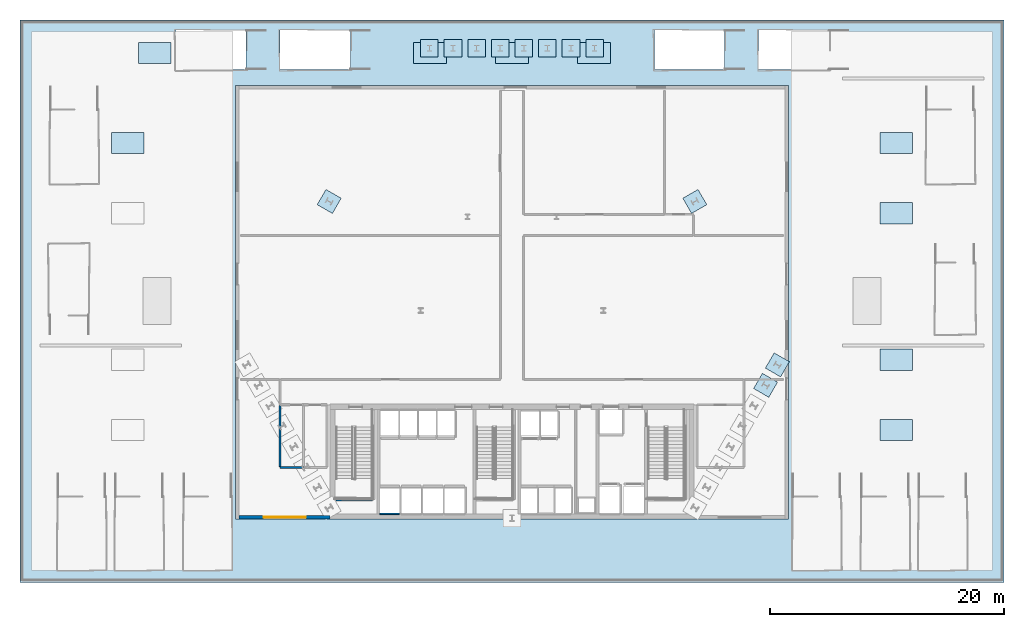
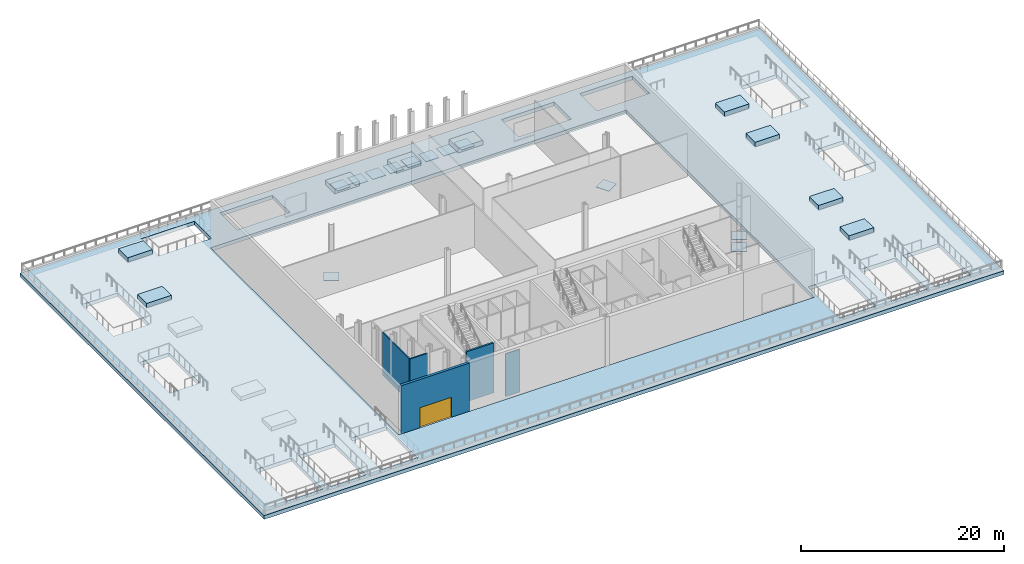
# One storey, part 2 of 13: 12 plates, 10 slabs, 5 walls, 1 door, 1 opening.
"""IFC4 building model written with IfcOpenShell, lengths in metres."""

from ifc_helpers import new_model, si_unit, direction, frame, frame_2d, origin, origin_2d, place, context, subcontext, project, spatial, polyline, rectangle, outline, extrude, material, layer, layer_set, type_object, element, fill, save


model = new_model("IFC4")

# Units and contexts
model_context = context("Model", 3, precision=1e-05, world=origin(), true_north=direction((0.0, 1.0)))
body_context = subcontext(model_context, "Body", "Model", "MODEL_VIEW")
ifc_project = project(units=[si_unit("LENGTHUNIT", "METRE"), si_unit("AREAUNIT", "SQUARE_METRE"), si_unit("VOLUMEUNIT", "CUBIC_METRE"), si_unit("PLANEANGLEUNIT", "RADIAN"), si_unit("MASSUNIT", "GRAM", prefix="KILO")], contexts=[model_context])

# Site, building, storey
site_placement = place(None, origin())
site = spatial("IfcSite", under=ifc_project, at=site_placement, CompositionType="ELEMENT")
building_placement = place(site_placement, origin())
building = spatial("IfcBuilding", under=site, at=building_placement, Name="Ndaravel Arena Tower", CompositionType="ELEMENT")
storey_placement = place(building_placement, frame((0.0, 0.0, 30.0)))
storey = spatial("IfcBuildingStorey", under=building, at=storey_placement, Name="L05", CompositionType="ELEMENT", Elevation=30.0)

# Plates
ifc_material_1 = material(Name="Steel S460", Category="steel")
ifc_layer_1 = layer(ifc_material_1, 0.074951171875)
ifc_layer_set_1 = layer_set([ifc_layer_1], Name="Steel S460")
plate_type = type_object("IfcPlateType", Name="PLT-BASE-BP1", PredefinedType="USERDEFINED", material=ifc_layer_set_1)
for number, where, z_axis, x_axis, name in (
    (1, (63.6474609375, 16.814453125, -0.28759765625), (0.0, 0.0, 1.0), (0.5, 0.866025403784, 0.0), "Tower Column Base Plate BP-08"),
    (2, (64.654052734375, 18.55810546875, -0.28759765625), (0.0, 0.0, 1.0), (0.5, 0.866025403784, 0.0), "Tower Column Base Plate BP-09"),
    (3, (57.605712890625, 32.510009765625, -0.28759765625), (0.0, 0.0, 1.0), (-0.5, 0.866025403784, 0.0), "Tower Column Base Plate BP-10"),
    (4, (49.04736328125, 45.590087890625, -0.28759765625), (0.0, 0.0, 1.0), (1.0, 0.0, 0.0), "Tower Column Base Plate BP-11"),
    (5, (47.03369140625, 45.590087890625, -0.28759765625), (0.0, 0.0, 1.0), (1.0, 0.0, 0.0), "Tower Column Base Plate BP-12"),
    (6, (45.020263671875, 45.590087890625, -0.28759765625), (0.0, 0.0, 1.0), (1.0, 0.0, 0.0), "Tower Column Base Plate BP-13"),
    (7, (43.0068359375, 45.590087890625, -0.28759765625), (0.0, 0.0, 1.0), (1.0, 0.0, 0.0), "Tower Column Base Plate BP-14"),
    (8, (40.9931640625, 45.590087890625, -0.28759765625), (0.0, 0.0, 1.0), (1.0, 0.0, 0.0), "Tower Column Base Plate BP-15"),
    (9, (38.979736328125, 45.590087890625, -0.28759765625), (0.0, 0.0, 1.0), (1.0, 0.0, 0.0), "Tower Column Base Plate BP-16"),
    (10, (36.96630859375, 45.590087890625, -0.28759765625), (0.0, 0.0, 1.0), (1.0, 0.0, 0.0), "Tower Column Base Plate BP-17"),
    (11, (34.95263671875, 45.590087890625, -0.28759765625), (0.0, 0.0, 1.0), (1.0, 0.0, 0.0), "Tower Column Base Plate BP-18"),
    (12, (26.394287109375, 32.510009765625, -0.28759765625), (0.0, 0.0, 1.0), (0.5, 0.866025403784, 0.0), "Tower Column Base Plate BP-19"),
):
    element("IfcPlate", number, at=place(storey_placement, frame(where, z_axis=z_axis, x_axis=x_axis)), inside=storey, type_object=plate_type, Name=name, ObjectType="BASE_PLATE", PredefinedType="USERDEFINED", context=body_context, shape_type="SweptSolid", body=[
        extrude(rectangle(XDim=1.5, YDim=1.5, at=origin_2d()), origin(), (0.0, 0.0, 1.0), 0.074951171875),
    ])

# Slabs
ifc_material_2 = material(Name="Concrete C40/50", Category="concrete")
ifc_layer_2 = layer(ifc_material_2, 0.449951171875)
ifc_layer_set_2 = layer_set([ifc_layer_2], Name="Concrete C40/50")
slab_type_1 = type_object("IfcSlabType", Name="SLAB-GARDEN-ROOF-450", PredefinedType="ROOF", material=ifc_layer_set_2)
slab_1_placement = place(storey_placement, frame((0.0, 0.0, -0.449951171875)))
element("IfcSlab", 13, at=slab_1_placement, inside=storey, type_object=slab_type_1, Name="L05 Raised Mazeras Stone Garden Terrace", PredefinedType="ROOF", context=body_context, shape_type="SweptSolid", body=[
    extrude(outline(polyline([(0.0, 48.0), (84.0, 48.0), (84.0, 0.0), (0.0, 0.0), (0.0, 48.0)]), holes=[polyline([(65.60009765625, 5.39990234375), (65.60009765625, 42.39990234375), (18.39990234375, 42.39990234375), (18.39990234375, 5.39990234375), (65.60009765625, 5.39990234375)]), polyline([(3.199951171875, 7.235107421875), (3.199951171875, 1.050048828125), (7.300048828125, 1.050048828125), (7.300048828125, 7.235107421875), (3.199951171875, 7.235107421875)]), polyline([(8.10009765625, 7.235107421875), (8.10009765625, 1.050048828125), (12.199951171875, 1.050048828125), (12.199951171875, 7.235107421875), (8.10009765625, 7.235107421875)]), polyline([(13.949951171875, 7.235107421875), (13.949951171875, 1.050048828125), (18.050048828125, 1.050048828125), (18.050048828125, 7.235107421875), (13.949951171875, 7.235107421875)]), polyline([(65.949951171875, 7.235107421875), (65.949951171875, 1.050048828125), (70.050048828125, 1.050048828125), (70.050048828125, 7.235107421875), (65.949951171875, 7.235107421875)]), polyline([(71.800048828125, 7.235107421875), (71.800048828125, 1.050048828125), (75.89990234375, 1.050048828125), (75.89990234375, 7.235107421875), (71.800048828125, 7.235107421875)]), polyline([(76.699951171875, 7.235107421875), (76.699951171875, 1.050048828125), (80.800048828125, 1.050048828125), (80.800048828125, 7.235107421875), (76.699951171875, 7.235107421875)]), polyline([(5.8798828125, 22.85498046875), (5.8798828125, 28.85009765625), (2.5, 28.85009765625), (2.5, 22.85498046875), (5.8798828125, 22.85498046875)]), polyline([(19.294921875, 47.139892578125), (13.300048828125, 47.139892578125), (13.300048828125, 43.760009765625), (19.294921875, 43.760009765625), (19.294921875, 47.139892578125)]), polyline([(28.195068359375, 47.139892578125), (22.199951171875, 47.139892578125), (22.199951171875, 43.760009765625), (28.195068359375, 43.760009765625), (28.195068359375, 47.139892578125)]), polyline([(60.14501953125, 47.139892578125), (54.14990234375, 47.139892578125), (54.14990234375, 43.760009765625), (60.14501953125, 43.760009765625), (60.14501953125, 47.139892578125)]), polyline([(69.044921875, 47.139892578125), (63.050048828125, 47.139892578125), (63.050048828125, 43.760009765625), (69.044921875, 43.760009765625), (69.044921875, 47.139892578125)]), polyline([(78.1201171875, 27.195068359375), (78.1201171875, 21.199951171875), (81.5, 21.199951171875), (81.5, 27.195068359375), (78.1201171875, 27.195068359375)]), polyline([(2.550048828125, 40.284912109375), (2.550048828125, 34.050048828125), (6.64990234375, 34.050048828125), (6.64990234375, 40.284912109375), (2.550048828125, 40.284912109375)]), polyline([(77.35009765625, 40.284912109375), (77.35009765625, 34.050048828125), (81.449951171875, 34.050048828125), (81.449951171875, 40.284912109375), (77.35009765625, 40.284912109375)])]), origin(), (0.0, 0.0, 1.0), 0.449951171875),
])
ifc_material_3 = material(Name="Concrete C40/50", Category="concrete")
ifc_layer_3 = layer(ifc_material_3, 0.260009765625)
ifc_layer_set_3 = layer_set([ifc_layer_3], Name="Concrete C40/50")
slab_type_2 = type_object("IfcSlabType", Name="SLAB-PLANTER-260", PredefinedType="USERDEFINED", material=ifc_layer_set_3)
slab_2_placement = place(storey_placement, origin())
element("IfcSlab", 14, at=slab_2_placement, inside=storey, type_object=slab_type_2, Name="L05 Raised Garden Structural Planter 04", ObjectType="PLANTER", PredefinedType="USERDEFINED", context=body_context, shape_type="SweptSolid", body=[
    extrude(outline(polyline([(7.800048828125, 36.60009765625), (10.60009765625, 36.60009765625), (10.60009765625, 38.39990234375), (7.800048828125, 38.39990234375), (7.800048828125, 36.60009765625)])), origin(), (0.0, 0.0, 1.0), 0.550048828125),
])
slab_3_placement = place(storey_placement, origin())
element("IfcSlab", 15, at=slab_3_placement, inside=storey, type_object=slab_type_2, Name="L05 Raised Garden Structural Planter 05", ObjectType="PLANTER", PredefinedType="USERDEFINED", context=body_context, shape_type="SweptSolid", body=[
    extrude(outline(polyline([(73.39990234375, 12.10009765625), (76.199951171875, 12.10009765625), (76.199951171875, 13.89990234375), (73.39990234375, 13.89990234375), (73.39990234375, 12.10009765625)])), origin(), (0.0, 0.0, 1.0), 0.550048828125),
])
slab_4_placement = place(storey_placement, origin())
element("IfcSlab", 16, at=slab_4_placement, inside=storey, type_object=slab_type_2, Name="L05 Raised Garden Structural Planter 06", ObjectType="PLANTER", PredefinedType="USERDEFINED", context=body_context, shape_type="SweptSolid", body=[
    extrude(outline(polyline([(73.39990234375, 18.10009765625), (76.199951171875, 18.10009765625), (76.199951171875, 19.89990234375), (73.39990234375, 19.89990234375), (73.39990234375, 18.10009765625)])), origin(), (0.0, 0.0, 1.0), 0.550048828125),
])
slab_5_placement = place(storey_placement, origin())
element("IfcSlab", 17, at=slab_5_placement, inside=storey, type_object=slab_type_2, Name="L05 Raised Garden Structural Planter 07", ObjectType="PLANTER", PredefinedType="USERDEFINED", context=body_context, shape_type="SweptSolid", body=[
    extrude(outline(polyline([(73.39990234375, 30.60009765625), (76.199951171875, 30.60009765625), (76.199951171875, 32.39990234375), (73.39990234375, 32.39990234375), (73.39990234375, 30.60009765625)])), origin(), (0.0, 0.0, 1.0), 0.550048828125),
])
slab_6_placement = place(storey_placement, origin())
element("IfcSlab", 18, at=slab_6_placement, inside=storey, type_object=slab_type_2, Name="L05 Raised Garden Structural Planter 08", ObjectType="PLANTER", PredefinedType="USERDEFINED", context=body_context, shape_type="SweptSolid", body=[
    extrude(outline(polyline([(73.39990234375, 36.60009765625), (76.199951171875, 36.60009765625), (76.199951171875, 38.39990234375), (73.39990234375, 38.39990234375), (73.39990234375, 36.60009765625)])), origin(), (0.0, 0.0, 1.0), 0.550048828125),
])
slab_7_placement = place(storey_placement, origin())
element("IfcSlab", 19, at=slab_7_placement, inside=storey, type_object=slab_type_2, Name="L05 Raised Garden Structural Planter 09", ObjectType="PLANTER", PredefinedType="USERDEFINED", context=body_context, shape_type="SweptSolid", body=[
    extrude(outline(polyline([(33.60009765625, 44.300048828125), (36.39990234375, 44.300048828125), (36.39990234375, 46.10009765625), (33.60009765625, 46.10009765625), (33.60009765625, 44.300048828125)])), origin(), (0.0, 0.0, 1.0), 0.550048828125),
])
slab_8_placement = place(storey_placement, origin())
element("IfcSlab", 20, at=slab_8_placement, inside=storey, type_object=slab_type_2, Name="L05 Raised Garden Structural Planter 10", ObjectType="PLANTER", PredefinedType="USERDEFINED", context=body_context, shape_type="SweptSolid", body=[
    extrude(outline(polyline([(40.60009765625, 44.300048828125), (43.39990234375, 44.300048828125), (43.39990234375, 46.10009765625), (40.60009765625, 46.10009765625), (40.60009765625, 44.300048828125)])), origin(), (0.0, 0.0, 1.0), 0.550048828125),
])
slab_9_placement = place(storey_placement, origin())
element("IfcSlab", 21, at=slab_9_placement, inside=storey, type_object=slab_type_2, Name="L05 Raised Garden Structural Planter 11", ObjectType="PLANTER", PredefinedType="USERDEFINED", context=body_context, shape_type="SweptSolid", body=[
    extrude(outline(polyline([(47.60009765625, 44.300048828125), (50.39990234375, 44.300048828125), (50.39990234375, 46.10009765625), (47.60009765625, 46.10009765625), (47.60009765625, 44.300048828125)])), origin(), (0.0, 0.0, 1.0), 0.550048828125),
])
slab_10_placement = place(storey_placement, origin())
element("IfcSlab", 22, at=slab_10_placement, inside=storey, type_object=slab_type_2, Name="L05 Raised Garden Structural Planter 12", ObjectType="PLANTER", PredefinedType="USERDEFINED", context=body_context, shape_type="SweptSolid", body=[
    extrude(outline(polyline([(10.10009765625, 44.300048828125), (12.89990234375, 44.300048828125), (12.89990234375, 46.10009765625), (10.10009765625, 46.10009765625), (10.10009765625, 44.300048828125)])), origin(), (0.0, 0.0, 1.0), 0.550048828125),
])

# Wall, opening, door
ifc_material_4 = material(Name="Masonry", Category="masonry")
ifc_layer_4 = layer(ifc_material_4, 0.300048828125)
ifc_layer_set_4 = layer_set([ifc_layer_4], Name="Masonry")
wall_type_1 = type_object("IfcWallType", Name="WALL-POD-MAZERAS-300", PredefinedType="SOLIDWALL", material=ifc_layer_set_4)
wall_1_placement = place(storey_placement, frame((18.699951171875, 5.550048828125, 0.0), z_axis=(0.0, 0.0, 1.0), x_axis=(1.0, 0.0, 0.0)))
wall_1 = element("IfcWall", 23, at=wall_1_placement, inside=storey, type_object=wall_type_1, Name="L05 Garden Pavilion South-West Wall", PredefinedType="SOLIDWALL", context=body_context, shape_type="SweptSolid", body=[
    extrude(rectangle(XDim=7.75, YDim=0.300048828125, at=frame_2d((3.875, 0.0))), origin(), (0.0, 0.0, 1.0), 5.780029296875),
])
opening_placement = place(wall_1_placement, frame((2.10009765625, 0.0, 0.0)))
opening = element("IfcOpeningElement", 24, at=opening_placement, cuts=wall_1, Name="Opening GT-01", PredefinedType="OPENING", context=body_context, shape_type="SweptSolid", body=[
    extrude(rectangle(XDim=3.60009765625, YDim=2.39990234375, at=frame_2d((1.800048828125, 1.199951171875))), frame((0.0, 0.14990234375, 0.0), z_axis=(0.0, -1.0, 0.0), x_axis=(1.0, 0.0, 0.0)), (0.0, 0.0, 1.0), 0.300048828125),
])
ifc_material_5 = material(Name="Aluminium", Category="aluminium")
door_type = type_object("IfcDoorType", Name="ED-GATE-3600", OperationType="DOUBLE_DOOR_SINGLE_SWING", PredefinedType="GATE", material=ifc_material_5)
door_placement = place(opening_placement, origin())
door = element("IfcDoor", 25, at=door_placement, inside=storey, type_object=door_type, Name="L05 West Garden Ceremonial Gate", OperationType="DOUBLE_DOOR_SINGLE_SWING", OverallHeight=2.39990234375, OverallWidth=3.60009765625, PredefinedType="GATE", context=body_context, shape_type="SweptSolid", body=[
    extrude(rectangle(XDim=3.60009765625, YDim=2.39990234375, at=frame_2d((1.800048828125, 1.199951171875))), frame((0.0, 0.02490234375, 0.0), z_axis=(0.0, -1.0, 0.0), x_axis=(1.0, 0.0, 0.0)), (0.0, 0.0, 1.0), 0.050048828125),
])
fill(opening, door)

# Walls
ifc_material_6 = material(Name="Concrete C40/50", Category="concrete")
ifc_layer_5 = layer(ifc_material_6, 0.1201171875)
ifc_layer_set_5 = layer_set([ifc_layer_5], Name="Concrete C40/50")
wall_type_2 = type_object("IfcWallType", Name="WALL-SHAFT-120", PredefinedType="SOLIDWALL", material=ifc_layer_set_5)
wall_2_placement = place(storey_placement, frame((30.72998046875, 5.840087890625, 0.0), z_axis=(0.0, 0.0, 1.0), x_axis=(1.0, 0.0, 0.0)))
element("IfcWall", 26, at=wall_2_placement, inside=storey, type_object=wall_type_2, Name="L05 PL-L1 Shaft Rear Wall", PredefinedType="SOLIDWALL", context=body_context, shape_type="SweptSolid", body=[
    extrude(rectangle(XDim=1.6650390625, YDim=0.1201171875, at=frame_2d((0.83251953125, 0.0))), origin(), (0.0, 0.0, 1.0), 5.1328125),
])
ifc_material_7 = material(Name="Concrete C40/50", Category="concrete")
ifc_layer_6 = layer(ifc_material_7, 0.199951171875)
ifc_layer_set_6 = layer_set([ifc_layer_6], Name="Concrete C40/50")
wall_type_3 = type_object("IfcWallType", Name="WALL-SHAFT-200", PredefinedType="SOLIDWALL", material=ifc_layer_set_6)
wall_3_placement = place(storey_placement, frame((26.969970703125, 7.050048828125, 0.0), z_axis=(0.0, 0.0, 1.0), x_axis=(1.0, 0.0, 0.0)))
element("IfcWall", 27, at=wall_3_placement, inside=storey, type_object=wall_type_3, Name="L05 ST-1 Structural Shaft Wall Far", PredefinedType="SOLIDWALL", context=body_context, shape_type="SweptSolid", body=[
    extrude(rectangle(XDim=3.114990234375, YDim=0.199951171875, at=frame_2d((1.5576171875, 0.0))), origin(), (0.0, 0.0, 1.0), 6.0),
])
ifc_material_8 = material(Name="Masonry", Category="masonry")
ifc_layer_7 = layer(ifc_material_8, 0.14990234375)
ifc_layer_set_7 = layer_set([ifc_layer_7], Name="Masonry")
wall_type_4 = type_object("IfcWallType", Name="WALL-WET-150", PredefinedType="PARTITIONING", material=ifc_layer_set_7)
wall_4_placement = place(storey_placement, frame((24.199951171875, 9.800048828125, 0.0), z_axis=(0.0, 0.0, 1.0), x_axis=(-1.0, 0.0, 0.0)))
element("IfcWall", 28, at=wall_4_placement, inside=storey, type_object=wall_type_4, Name="L05 Interior Partition 021", PredefinedType="PARTITIONING", context=body_context, shape_type="SweptSolid", body=[
    extrude(rectangle(XDim=2.0, YDim=0.14990234375, at=frame_2d((1.0, 0.0))), origin(), (0.0, 0.0, 1.0), 5.1328125),
])
wall_5_placement = place(storey_placement, frame((22.199951171875, 9.864990234375, 0.0), z_axis=(0.0, 0.0, 1.0), x_axis=(0.0, 1.0, 0.0)))
element("IfcWall", 29, at=wall_5_placement, inside=storey, type_object=wall_type_4, Name="L05 Interior Partition 022", PredefinedType="PARTITIONING", context=body_context, shape_type="SweptSolid", body=[
    extrude(rectangle(XDim=5.219970703125, YDim=0.14990234375, at=frame_2d((2.60986328125, 0.0))), origin(), (0.0, 0.0, 1.0), 5.1328125),
])

save(model, "model.ifc")
